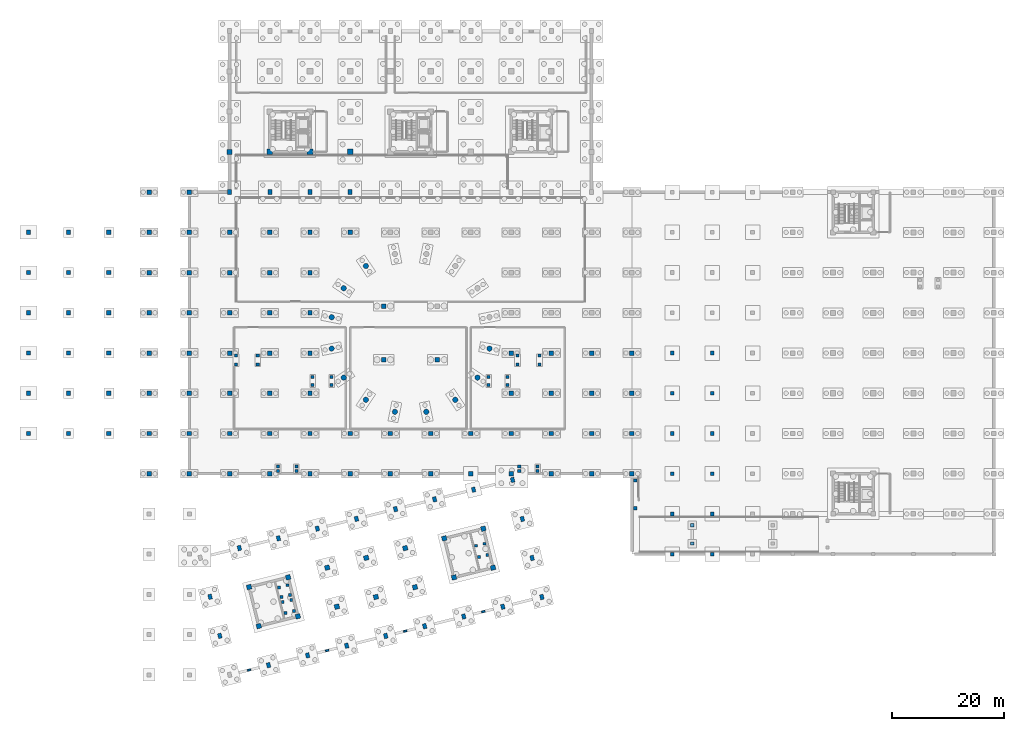
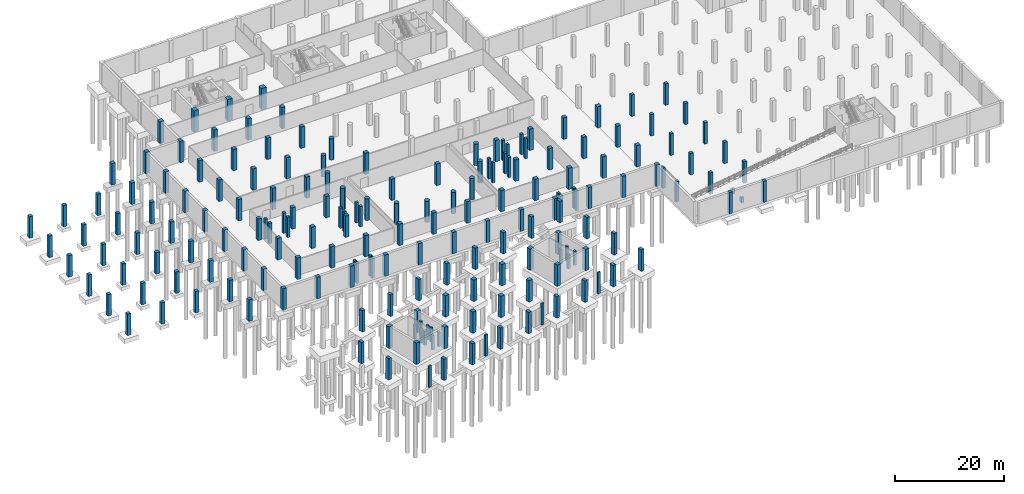
# One storey, part 7 of 19: 192 columns.
"""IFC4 building model written with IfcOpenShell, lengths in metres."""

from ifc_helpers import new_model, si_unit, direction, frame, origin, origin_2d, place, context, subcontext, project, spatial, rectangle, circle, extrude, material, material_profile, profile_set, type_object, element, save


model = new_model("IFC4")

# Units and contexts
model_context = context("Model", 3, precision=1e-05, world=origin(), true_north=direction((0.0, 1.0)))
body_context = subcontext(model_context, "Body", "Model", "MODEL_VIEW")
ifc_project = project(units=[si_unit("LENGTHUNIT", "METRE"), si_unit("AREAUNIT", "SQUARE_METRE"), si_unit("VOLUMEUNIT", "CUBIC_METRE"), si_unit("PLANEANGLEUNIT", "RADIAN"), si_unit("MASSUNIT", "GRAM", prefix="KILO")], contexts=[model_context])

# Site, building, storey
site_placement = place(None, origin())
site = spatial("IfcSite", under=ifc_project, at=site_placement, CompositionType="ELEMENT")
building_placement = place(site_placement, origin())
building = spatial("IfcBuilding", under=site, at=building_placement, Name="Qiaolan Assembly House", CompositionType="ELEMENT")
storey_placement = place(building_placement, frame((0.0, 0.0, -4.800048828125)))
storey = spatial("IfcBuildingStorey", under=building, at=storey_placement, Name="B1", CompositionType="ELEMENT", Elevation=-4.800048828125)

# Columns
ifc_material_1 = material(Name="Concrete C50/60", Category="concrete")
ifc_material_profile_1 = material_profile(ifc_material_1, circle(Radius=0.47509765625, at=origin_2d()), Name="CIRC D950")
ifc_profile_set_1 = profile_set([ifc_material_profile_1], Name="Concrete C50/60")
column_type_1 = type_object("IfcColumnType", Name="COL-DRUM-D950", PredefinedType="COLUMN", material=ifc_profile_set_1)
for number, where, z_axis, x_axis, name in (
    (1, (60.39990234375, 73.173095703125, 0.0), (0.0, 0.0, 1.0), (1.0, 0.0, 0.0), "DC-01 chamber drum pier 6 B1"),
    (2, (56.4267578125, 69.2001953125, 0.0), (0.0, 0.0, 1.0), (1.0, 0.0, 0.0), "DC-01 chamber drum pier 7 B1"),
    (3, (54.276611328125, 64.00927734375, 0.0), (0.0, 0.0, 1.0), (1.0, 0.0, 0.0), "DC-01 chamber drum pier 8 B1"),
    (4, (54.276611328125, 58.390625, 0.0), (0.0, 0.0, 1.0), (1.0, 0.0, 0.0), "DC-01 chamber drum pier 9 B1"),
    (5, (56.4267578125, 53.19970703125, 0.0), (0.0, 0.0, 1.0), (1.0, 0.0, 0.0), "DC-01 chamber drum pier 10 B1"),
    (6, (60.39990234375, 49.226806640625, 0.0), (0.0, 0.0, 1.0), (1.0, 0.0, 0.0), "DC-01 chamber drum pier 11 B1"),
    (7, (65.5908203125, 47.07666015625, 0.0), (0.0, 0.0, 1.0), (1.0, 0.0, 0.0), "DC-01 chamber drum pier 12 B1"),
    (8, (71.209228515625, 47.07666015625, 0.0), (0.0, 0.0, 1.0), (1.0, 0.0, 0.0), "DC-01 chamber drum pier 13 B1"),
    (9, (76.400146484375, 49.226806640625, 0.0), (0.0, 0.0, 1.0), (1.0, 0.0, 0.0), "DC-01 chamber drum pier 14 B1"),
    (10, (80.373046875, 53.19970703125, 0.0), (0.0, 0.0, 1.0), (1.0, 0.0, 0.0), "DC-01 chamber drum pier 15 B1"),
    (11, (82.523193359375, 58.390625, 0.0), (0.0, 0.0, 1.0), (1.0, 0.0, 0.0), "DC-01 chamber drum pier 16 B1"),
):
    element("IfcColumn", number, at=place(storey_placement, frame(where, z_axis=z_axis, x_axis=x_axis)), inside=storey, type_object=column_type_1, Name=name, PredefinedType="COLUMN", context=body_context, shape_type="SweptSolid", body=[
        extrude(circle(Radius=0.47509765625, at=origin_2d()), origin(), (0.0, 0.0, 1.0), 4.800048828125),
    ])
ifc_material_profile_2 = material_profile(ifc_material_1, rectangle(XDim=1.0, YDim=1.0, at=origin_2d()), Name="RC 1000x1000")
ifc_profile_set_2 = profile_set([ifc_material_profile_2], Name="Concrete C50/60")
column_type_2 = type_object("IfcColumnType", Name="COL-RC-1000", PredefinedType="COLUMN", material=ifc_profile_set_2)
for number, where, z_axis, x_axis, name in (
    (12, (43.199951171875, 93.60009765625, 0.0), (0.0, 0.0, 1.0), (1.0, 0.0, 0.0), "RC-01 column NW B1"),
    (13, (50.39990234375, 93.60009765625, 0.0), (0.0, 0.0, 1.0), (1.0, 0.0, 0.0), "RC-01 column NW B1"),
    (14, (57.60009765625, 93.60009765625, 0.0), (0.0, 0.0, 1.0), (1.0, 0.0, 0.0), "RC-01 column NW B1"),
):
    element("IfcColumn", number, at=place(storey_placement, frame(where, z_axis=z_axis, x_axis=x_axis)), inside=storey, type_object=column_type_2, Name=name, PredefinedType="COLUMN", context=body_context, shape_type="SweptSolid", body=[
        extrude(rectangle(XDim=1.0, YDim=1.0, at=origin_2d()), origin(), (0.0, 0.0, 1.0), 4.800048828125),
    ])
ifc_material_2 = material(Name="Concrete C40/50", Category="concrete")
ifc_material_profile_3 = material_profile(ifc_material_2, rectangle(XDim=0.5, YDim=0.5, at=origin_2d()), Name="RC 500x500")
ifc_profile_set_3 = profile_set([ifc_material_profile_3], Name="Concrete C40/50")
column_type_3 = type_object("IfcColumnType", Name="COL-RC-500", PredefinedType="COLUMN", material=ifc_profile_set_3)
for number, where, z_axis, x_axis, name in (
    (15, (46.023681640625, 11.05322265625, 0.0), (0.0, 0.0, 1.0), (1.0, 0.0, 0.0), "RC-09 lift pit support pier LF-06-1"),
    (16, (47.527587890625, 11.42822265625, 0.0), (0.0, 0.0, 1.0), (1.0, 0.0, 0.0), "RC-09 lift pit support pier LF-06-2"),
    (17, (47.03173828125, 13.41748046875, 0.0), (0.0, 0.0, 1.0), (1.0, 0.0, 0.0), "RC-09 lift pit support pier LF-06-3"),
    (18, (45.52783203125, 13.04248046875, 0.0), (0.0, 0.0, 1.0), (1.0, 0.0, 0.0), "RC-09 lift pit support pier LF-06-4"),
    (19, (45.31005859375, 13.915771484375, 0.0), (0.0, 0.0, 1.0), (1.0, 0.0, 0.0), "RC-09 lift pit support pier LF-07-1"),
    (20, (46.81396484375, 14.29052734375, 0.0), (0.0, 0.0, 1.0), (1.0, 0.0, 0.0), "RC-09 lift pit support pier LF-07-2"),
    (21, (46.378662109375, 16.037109375, 0.0), (0.0, 0.0, 1.0), (1.0, 0.0, 0.0), "RC-09 lift pit support pier LF-07-3"),
    (22, (44.87451171875, 15.662109375, 0.0), (0.0, 0.0, 1.0), (1.0, 0.0, 0.0), "RC-09 lift pit support pier LF-07-4"),
    (23, (80.627685546875, 21.072265625, 0.0), (0.0, 0.0, 1.0), (1.0, 0.0, 0.0), "RC-09 lift pit support pier LF-08-1"),
    (24, (82.1318359375, 21.447265625, 0.0), (0.0, 0.0, 1.0), (1.0, 0.0, 0.0), "RC-09 lift pit support pier LF-08-2"),
    (25, (81.623779296875, 23.48486328125, 0.0), (0.0, 0.0, 1.0), (1.0, 0.0, 0.0), "RC-09 lift pit support pier LF-08-3"),
    (26, (80.11962890625, 23.110107421875, 0.0), (0.0, 0.0, 1.0), (1.0, 0.0, 0.0), "RC-09 lift pit support pier LF-08-4"),
):
    element("IfcColumn", number, at=place(storey_placement, frame(where, z_axis=z_axis, x_axis=x_axis)), inside=storey, type_object=column_type_3, Name=name, PredefinedType="COLUMN", context=body_context, shape_type="SweptSolid", body=[
        extrude(rectangle(XDim=0.5, YDim=0.5, at=origin_2d()), origin(), (0.0, 0.0, 1.0), 3.199951171875),
    ])
ifc_material_profile_4 = material_profile(ifc_material_2, rectangle(XDim=0.550048828125, YDim=0.550048828125, at=origin_2d()), Name="RC 550x550")
ifc_profile_set_4 = profile_set([ifc_material_profile_4], Name="Concrete C40/50")
column_type_4 = type_object("IfcColumnType", Name="COL-RC-550", PredefinedType="COLUMN", material=ifc_profile_set_4)
for number, where, z_axis, x_axis, name in (
    (27, (37.14990234375, 55.570068359375, 0.0), (0.0, 0.0, 1.0), (1.0, 0.0, 0.0), "RC-10 ceremonial stair B1 column ST-H1-1"),
    (28, (41.050048828125, 55.570068359375, 0.0), (0.0, 0.0, 1.0), (1.0, 0.0, 0.0), "RC-10 ceremonial stair B1 column ST-H1-2"),
    (29, (37.14990234375, 57.1201171875, 0.0), (0.0, 0.0, 1.0), (1.0, 0.0, 0.0), "RC-10 ceremonial stair B1 column ST-H1-3"),
    (30, (41.050048828125, 57.1201171875, 0.0), (0.0, 0.0, 1.0), (1.0, 0.0, 0.0), "RC-10 ceremonial stair B1 column ST-H1-4"),
    (31, (87.550048828125, 55.570068359375, 0.0), (0.0, 0.0, 1.0), (1.0, 0.0, 0.0), "RC-10 ceremonial stair B1 column ST-H2-1"),
    (32, (91.449951171875, 55.570068359375, 0.0), (0.0, 0.0, 1.0), (1.0, 0.0, 0.0), "RC-10 ceremonial stair B1 column ST-H2-2"),
    (33, (87.550048828125, 57.1201171875, 0.0), (0.0, 0.0, 1.0), (1.0, 0.0, 0.0), "RC-10 ceremonial stair B1 column ST-H2-3"),
    (34, (91.449951171875, 57.1201171875, 0.0), (0.0, 0.0, 1.0), (1.0, 0.0, 0.0), "RC-10 ceremonial stair B1 column ST-H2-4"),
    (35, (50.8798828125, 51.889892578125, 0.0), (0.0, 0.0, 1.0), (1.0, 0.0, 0.0), "RC-10 gallery stair B1 column ST-G1-1"),
    (36, (54.280029296875, 51.889892578125, 0.0), (0.0, 0.0, 1.0), (1.0, 0.0, 0.0), "RC-10 gallery stair B1 column ST-G1-2"),
    (37, (50.8798828125, 53.2900390625, 0.0), (0.0, 0.0, 1.0), (1.0, 0.0, 0.0), "RC-10 gallery stair B1 column ST-G1-3"),
    (38, (54.280029296875, 53.2900390625, 0.0), (0.0, 0.0, 1.0), (1.0, 0.0, 0.0), "RC-10 gallery stair B1 column ST-G1-4"),
    (39, (82.3798828125, 51.889892578125, 0.0), (0.0, 0.0, 1.0), (1.0, 0.0, 0.0), "RC-10 gallery stair B1 column ST-G2-1"),
    (40, (85.780029296875, 51.889892578125, 0.0), (0.0, 0.0, 1.0), (1.0, 0.0, 0.0), "RC-10 gallery stair B1 column ST-G2-2"),
    (41, (82.3798828125, 53.2900390625, 0.0), (0.0, 0.0, 1.0), (1.0, 0.0, 0.0), "RC-10 gallery stair B1 column ST-G2-3"),
    (42, (85.780029296875, 53.2900390625, 0.0), (0.0, 0.0, 1.0), (1.0, 0.0, 0.0), "RC-10 gallery stair B1 column ST-G2-4"),
    (43, (44.64990234375, 36.449951171875, 0.0), (0.0, 0.0, 1.0), (1.0, 0.0, 0.0), "RC-10 foyer stair B1 column F1-1"),
    (44, (47.949951171875, 36.449951171875, 0.0), (0.0, 0.0, 1.0), (1.0, 0.0, 0.0), "RC-10 foyer stair B1 column F1-2"),
    (45, (44.64990234375, 37.300048828125, 0.0), (0.0, 0.0, 1.0), (1.0, 0.0, 0.0), "RC-10 foyer stair B1 column F1-3"),
    (46, (47.949951171875, 37.300048828125, 0.0), (0.0, 0.0, 1.0), (1.0, 0.0, 0.0), "RC-10 foyer stair B1 column F1-4"),
    (47, (87.85009765625, 36.449951171875, 0.0), (0.0, 0.0, 1.0), (1.0, 0.0, 0.0), "RC-10 foyer stair B1 column F2-1"),
    (48, (91.14990234375, 36.449951171875, 0.0), (0.0, 0.0, 1.0), (1.0, 0.0, 0.0), "RC-10 foyer stair B1 column F2-2"),
    (49, (87.85009765625, 37.300048828125, 0.0), (0.0, 0.0, 1.0), (1.0, 0.0, 0.0), "RC-10 foyer stair B1 column F2-3"),
    (50, (91.14990234375, 37.300048828125, 0.0), (0.0, 0.0, 1.0), (1.0, 0.0, 0.0), "RC-10 foyer stair B1 column F2-4"),
):
    element("IfcColumn", number, at=place(storey_placement, frame(where, z_axis=z_axis, x_axis=x_axis)), inside=storey, type_object=column_type_4, Name=name, PredefinedType="COLUMN", context=body_context, shape_type="SweptSolid", body=[
        extrude(rectangle(XDim=0.550048828125, YDim=0.550048828125, at=origin_2d()), origin(), (0.0, 0.0, 1.0), 4.550048828125),
    ])
ifc_material_profile_5 = material_profile(ifc_material_2, rectangle(XDim=0.60009765625, YDim=0.60009765625, at=origin_2d()), Name="RC 600x600")
ifc_profile_set_5 = profile_set([ifc_material_profile_5], Name="Concrete C40/50")
column_type_5 = type_object("IfcColumnType", Name="COL-RC-600", PredefinedType="COLUMN", material=ifc_profile_set_5)
for number, where, z_axis, x_axis, name in (
    (51, (108.60009765625, 29.800048828125, 0.0), (0.0, 0.0, 1.0), (1.0, 0.0, 0.0), "RC-09 service apron support pier 108-29"),
    (52, (108.60009765625, 34.800048828125, 0.0), (0.0, 0.0, 1.0), (1.0, 0.0, 0.0), "RC-09 service apron support pier 108-34"),
):
    element("IfcColumn", number, at=place(storey_placement, frame(where, z_axis=z_axis, x_axis=x_axis)), inside=storey, type_object=column_type_5, Name=name, PredefinedType="COLUMN", context=body_context, shape_type="SweptSolid", body=[
        extrude(rectangle(XDim=0.60009765625, YDim=0.60009765625, at=origin_2d()), origin(), (0.0, 0.0, 1.0), 4.5),
    ])
for number, where, z_axis, x_axis, name in (
    (53, (118.800048828125, 23.5, 0.0), (0.0, 0.0, 1.0), (1.0, 0.0, 0.0), "RC-09 vehicle ramp pier 2"),
    (54, (118.800048828125, 26.800048828125, 0.0), (0.0, 0.0, 1.0), (1.0, 0.0, 0.0), "RC-09 vehicle ramp pier 2"),
):
    element("IfcColumn", number, at=place(storey_placement, frame(where, z_axis=z_axis, x_axis=x_axis)), inside=storey, type_object=column_type_5, Name=name, PredefinedType="COLUMN", context=body_context, shape_type="SweptSolid", body=[
        extrude(rectangle(XDim=0.60009765625, YDim=0.60009765625, at=origin_2d()), origin(), (0.0, 0.0, 1.0), 1.130126953125),
    ])
ifc_material_profile_6 = material_profile(ifc_material_2, rectangle(XDim=0.64990234375, YDim=0.64990234375, at=origin_2d()), Name="RC 650x650")
ifc_profile_set_6 = profile_set([ifc_material_profile_6], Name="Concrete C40/50")
column_type_6 = type_object("IfcColumnType", Name="COL-RC-650", PredefinedType="COLUMN", material=ifc_profile_set_6)
for number, where, z_axis, x_axis, name in (
    (55, (115.199951171875, 21.60009765625, 0.0), (0.0, 0.0, 1.0), (1.0, 0.0, 0.0), "RC-08 carpark/cloister column B1"),
    (56, (115.199951171875, 28.800048828125, 0.0), (0.0, 0.0, 1.0), (1.0, 0.0, 0.0), "RC-08 carpark/cloister column B1"),
    (57, (115.199951171875, 36.0, 0.0), (0.0, 0.0, 1.0), (1.0, 0.0, 0.0), "RC-08 carpark/cloister column B1"),
    (58, (115.199951171875, 43.199951171875, 0.0), (0.0, 0.0, 1.0), (1.0, 0.0, 0.0), "RC-08 carpark/cloister column B1"),
    (59, (115.199951171875, 50.39990234375, 0.0), (0.0, 0.0, 1.0), (1.0, 0.0, 0.0), "RC-08 carpark/cloister column B1"),
    (60, (115.199951171875, 57.60009765625, 0.0), (0.0, 0.0, 1.0), (1.0, 0.0, 0.0), "RC-08 carpark/cloister column B1"),
    (61, (122.39990234375, 21.60009765625, 0.0), (0.0, 0.0, 1.0), (1.0, 0.0, 0.0), "RC-08 carpark/cloister column B1"),
    (62, (122.39990234375, 28.800048828125, 0.0), (0.0, 0.0, 1.0), (1.0, 0.0, 0.0), "RC-08 carpark/cloister column B1"),
    (63, (122.39990234375, 36.0, 0.0), (0.0, 0.0, 1.0), (1.0, 0.0, 0.0), "RC-08 carpark/cloister column B1"),
    (64, (122.39990234375, 43.199951171875, 0.0), (0.0, 0.0, 1.0), (1.0, 0.0, 0.0), "RC-08 carpark/cloister column B1"),
    (65, (122.39990234375, 50.39990234375, 0.0), (0.0, 0.0, 1.0), (1.0, 0.0, 0.0), "RC-08 carpark/cloister column B1"),
    (66, (122.39990234375, 57.60009765625, 0.0), (0.0, 0.0, 1.0), (1.0, 0.0, 0.0), "RC-08 carpark/cloister column B1"),
):
    element("IfcColumn", number, at=place(storey_placement, frame(where, z_axis=z_axis, x_axis=x_axis)), inside=storey, type_object=column_type_6, Name=name, PredefinedType="COLUMN", context=body_context, shape_type="SweptSolid", body=[
        extrude(rectangle(XDim=0.64990234375, YDim=0.64990234375, at=origin_2d()), origin(), (0.0, 0.0, 1.0), 4.800048828125),
    ])
ifc_material_3 = material(Name="Concrete C45/55", Category="concrete")
ifc_material_profile_7 = material_profile(ifc_material_3, rectangle(XDim=0.75, YDim=0.75, at=origin_2d()), Name="RC 750x750")
ifc_profile_set_7 = profile_set([ifc_material_profile_7], Name="Concrete C45/55")
column_type_7 = type_object("IfcColumnType", Name="COL-RC-750", PredefinedType="COLUMN", material=ifc_profile_set_7)
for number, where, z_axis, x_axis, name in (
    (67, (0.0, 43.199951171875, 0.0), (0.0, 0.0, 1.0), (1.0, 0.0, 0.0), "RC-06 portico colonnade column B1"),
    (68, (0.0, 50.39990234375, 0.0), (0.0, 0.0, 1.0), (1.0, 0.0, 0.0), "RC-06 portico colonnade column B1"),
    (69, (0.0, 57.60009765625, 0.0), (0.0, 0.0, 1.0), (1.0, 0.0, 0.0), "RC-06 portico colonnade column B1"),
    (70, (0.0, 64.800048828125, 0.0), (0.0, 0.0, 1.0), (1.0, 0.0, 0.0), "RC-06 portico colonnade column B1"),
    (71, (0.0, 72.0, 0.0), (0.0, 0.0, 1.0), (1.0, 0.0, 0.0), "RC-06 portico colonnade column B1"),
    (72, (0.0, 79.199951171875, 0.0), (0.0, 0.0, 1.0), (1.0, 0.0, 0.0), "RC-06 portico colonnade column B1"),
    (73, (7.199951171875, 43.199951171875, 0.0), (0.0, 0.0, 1.0), (1.0, 0.0, 0.0), "RC-06 portico colonnade column B1"),
    (74, (7.199951171875, 50.39990234375, 0.0), (0.0, 0.0, 1.0), (1.0, 0.0, 0.0), "RC-06 portico colonnade column B1"),
    (75, (7.199951171875, 57.60009765625, 0.0), (0.0, 0.0, 1.0), (1.0, 0.0, 0.0), "RC-06 portico colonnade column B1"),
    (76, (7.199951171875, 64.800048828125, 0.0), (0.0, 0.0, 1.0), (1.0, 0.0, 0.0), "RC-06 portico colonnade column B1"),
    (77, (7.199951171875, 72.0, 0.0), (0.0, 0.0, 1.0), (1.0, 0.0, 0.0), "RC-06 portico colonnade column B1"),
    (78, (7.199951171875, 79.199951171875, 0.0), (0.0, 0.0, 1.0), (1.0, 0.0, 0.0), "RC-06 portico colonnade column B1"),
    (79, (14.39990234375, 43.199951171875, 0.0), (0.0, 0.0, 1.0), (1.0, 0.0, 0.0), "RC-06 portico colonnade column B1"),
    (80, (14.39990234375, 50.39990234375, 0.0), (0.0, 0.0, 1.0), (1.0, 0.0, 0.0), "RC-06 portico colonnade column B1"),
    (81, (14.39990234375, 57.60009765625, 0.0), (0.0, 0.0, 1.0), (1.0, 0.0, 0.0), "RC-06 portico colonnade column B1"),
    (82, (14.39990234375, 64.800048828125, 0.0), (0.0, 0.0, 1.0), (1.0, 0.0, 0.0), "RC-06 portico colonnade column B1"),
    (83, (14.39990234375, 72.0, 0.0), (0.0, 0.0, 1.0), (1.0, 0.0, 0.0), "RC-06 portico colonnade column B1"),
    (84, (14.39990234375, 79.199951171875, 0.0), (0.0, 0.0, 1.0), (1.0, 0.0, 0.0), "RC-06 portico colonnade column B1"),
):
    element("IfcColumn", number, at=place(storey_placement, frame(where, z_axis=z_axis, x_axis=x_axis)), inside=storey, type_object=column_type_7, Name=name, PredefinedType="COLUMN", context=body_context, shape_type="SweptSolid", body=[
        extrude(rectangle(XDim=0.75, YDim=0.75, at=origin_2d()), origin(), (0.0, 0.0, 1.0), 4.800048828125),
    ])
ifc_material_profile_8 = material_profile(ifc_material_3, rectangle(XDim=0.800048828125, YDim=0.800048828125, at=origin_2d()), Name="RC 800x800")
ifc_profile_set_8 = profile_set([ifc_material_profile_8], Name="Concrete C45/55")
column_type_8 = type_object("IfcColumnType", Name="COL-RC-800", PredefinedType="COLUMN", material=ifc_profile_set_8)
for number, where, z_axis, x_axis, name in (
    (85, (63.60009765625, 56.39990234375, 0.0), (0.0, 0.0, 1.0), (1.0, 0.0, 0.0), "RC-05 chamber undercroft column 1 B1"),
    (86, (73.199951171875, 56.39990234375, 0.0), (0.0, 0.0, 1.0), (1.0, 0.0, 0.0), "RC-05 chamber undercroft column 2 B1"),
    (87, (63.60009765625, 66.0, 0.0), (0.0, 0.0, 1.0), (1.0, 0.0, 0.0), "RC-05 chamber undercroft column 4 B1"),
    (88, (21.60009765625, 36.0, 0.0), (0.0, 0.0, 1.0), (1.0, 0.0, 0.0), "RC-05 hall column B1"),
    (89, (21.60009765625, 43.199951171875, 0.0), (0.0, 0.0, 1.0), (1.0, 0.0, 0.0), "RC-05 hall column B1"),
    (90, (21.60009765625, 50.39990234375, 0.0), (0.0, 0.0, 1.0), (1.0, 0.0, 0.0), "RC-05 hall column B1"),
    (91, (21.60009765625, 57.60009765625, 0.0), (0.0, 0.0, 1.0), (1.0, 0.0, 0.0), "RC-05 hall column B1"),
    (92, (21.60009765625, 64.800048828125, 0.0), (0.0, 0.0, 1.0), (1.0, 0.0, 0.0), "RC-05 hall column B1"),
    (93, (21.60009765625, 72.0, 0.0), (0.0, 0.0, 1.0), (1.0, 0.0, 0.0), "RC-05 hall column B1"),
    (94, (21.60009765625, 79.199951171875, 0.0), (0.0, 0.0, 1.0), (1.0, 0.0, 0.0), "RC-05 hall column B1"),
    (95, (21.60009765625, 86.39990234375, 0.0), (0.0, 0.0, 1.0), (1.0, 0.0, 0.0), "RC-05 hall column B1"),
    (96, (28.800048828125, 36.0, 0.0), (0.0, 0.0, 1.0), (1.0, 0.0, 0.0), "RC-05 hall column B1"),
    (97, (28.800048828125, 43.199951171875, 0.0), (0.0, 0.0, 1.0), (1.0, 0.0, 0.0), "RC-05 hall column B1"),
    (98, (28.800048828125, 50.39990234375, 0.0), (0.0, 0.0, 1.0), (1.0, 0.0, 0.0), "RC-05 hall column B1"),
    (99, (28.800048828125, 57.60009765625, 0.0), (0.0, 0.0, 1.0), (1.0, 0.0, 0.0), "RC-05 hall column B1"),
    (100, (28.800048828125, 64.800048828125, 0.0), (0.0, 0.0, 1.0), (1.0, 0.0, 0.0), "RC-05 hall column B1"),
    (101, (28.800048828125, 72.0, 0.0), (0.0, 0.0, 1.0), (1.0, 0.0, 0.0), "RC-05 hall column B1"),
    (102, (28.800048828125, 79.199951171875, 0.0), (0.0, 0.0, 1.0), (1.0, 0.0, 0.0), "RC-05 hall column B1"),
    (103, (28.800048828125, 86.39990234375, 0.0), (0.0, 0.0, 1.0), (1.0, 0.0, 0.0), "RC-05 hall column B1"),
    (104, (36.0, 36.0, 0.0), (0.0, 0.0, 1.0), (1.0, 0.0, 0.0), "RC-05 hall column B1"),
    (105, (36.0, 43.199951171875, 0.0), (0.0, 0.0, 1.0), (1.0, 0.0, 0.0), "RC-05 hall column B1"),
    (106, (36.0, 50.39990234375, 0.0), (0.0, 0.0, 1.0), (1.0, 0.0, 0.0), "RC-05 hall column B1"),
    (107, (36.0, 57.60009765625, 0.0), (0.0, 0.0, 1.0), (1.0, 0.0, 0.0), "RC-05 hall column B1"),
    (108, (36.0, 64.800048828125, 0.0), (0.0, 0.0, 1.0), (1.0, 0.0, 0.0), "RC-05 hall column B1"),
    (109, (36.0, 72.0, 0.0), (0.0, 0.0, 1.0), (1.0, 0.0, 0.0), "RC-05 hall column B1"),
    (110, (36.0, 79.199951171875, 0.0), (0.0, 0.0, 1.0), (1.0, 0.0, 0.0), "RC-05 hall column B1"),
    (111, (43.199951171875, 36.0, 0.0), (0.0, 0.0, 1.0), (1.0, 0.0, 0.0), "RC-05 hall column B1"),
    (112, (43.199951171875, 43.199951171875, 0.0), (0.0, 0.0, 1.0), (1.0, 0.0, 0.0), "RC-05 hall column B1"),
    (113, (43.199951171875, 50.39990234375, 0.0), (0.0, 0.0, 1.0), (1.0, 0.0, 0.0), "RC-05 hall column B1"),
    (114, (43.199951171875, 57.60009765625, 0.0), (0.0, 0.0, 1.0), (1.0, 0.0, 0.0), "RC-05 hall column B1"),
    (115, (43.199951171875, 64.800048828125, 0.0), (0.0, 0.0, 1.0), (1.0, 0.0, 0.0), "RC-05 hall column B1"),
    (116, (43.199951171875, 72.0, 0.0), (0.0, 0.0, 1.0), (1.0, 0.0, 0.0), "RC-05 hall column B1"),
    (117, (43.199951171875, 79.199951171875, 0.0), (0.0, 0.0, 1.0), (1.0, 0.0, 0.0), "RC-05 hall column B1"),
    (118, (50.39990234375, 36.0, 0.0), (0.0, 0.0, 1.0), (1.0, 0.0, 0.0), "RC-05 hall column B1"),
    (119, (50.39990234375, 43.199951171875, 0.0), (0.0, 0.0, 1.0), (1.0, 0.0, 0.0), "RC-05 hall column B1"),
    (120, (50.39990234375, 50.39990234375, 0.0), (0.0, 0.0, 1.0), (1.0, 0.0, 0.0), "RC-05 hall column B1"),
    (121, (50.39990234375, 57.60009765625, 0.0), (0.0, 0.0, 1.0), (1.0, 0.0, 0.0), "RC-05 hall column B1"),
    (122, (50.39990234375, 64.800048828125, 0.0), (0.0, 0.0, 1.0), (1.0, 0.0, 0.0), "RC-05 hall column B1"),
    (123, (50.39990234375, 72.0, 0.0), (0.0, 0.0, 1.0), (1.0, 0.0, 0.0), "RC-05 hall column B1"),
    (124, (50.39990234375, 79.199951171875, 0.0), (0.0, 0.0, 1.0), (1.0, 0.0, 0.0), "RC-05 hall column B1"),
    (125, (57.60009765625, 36.0, 0.0), (0.0, 0.0, 1.0), (1.0, 0.0, 0.0), "RC-05 hall column B1"),
    (126, (57.60009765625, 43.199951171875, 0.0), (0.0, 0.0, 1.0), (1.0, 0.0, 0.0), "RC-05 hall column B1"),
    (127, (57.60009765625, 79.199951171875, 0.0), (0.0, 0.0, 1.0), (1.0, 0.0, 0.0), "RC-05 hall column B1"),
    (128, (64.800048828125, 36.0, 0.0), (0.0, 0.0, 1.0), (1.0, 0.0, 0.0), "RC-05 hall column B1"),
    (129, (64.800048828125, 43.199951171875, 0.0), (0.0, 0.0, 1.0), (1.0, 0.0, 0.0), "RC-05 hall column B1"),
    (130, (72.0, 36.0, 0.0), (0.0, 0.0, 1.0), (1.0, 0.0, 0.0), "RC-05 hall column B1"),
    (131, (72.0, 43.199951171875, 0.0), (0.0, 0.0, 1.0), (1.0, 0.0, 0.0), "RC-05 hall column B1"),
    (132, (79.199951171875, 36.0, 0.0), (0.0, 0.0, 1.0), (1.0, 0.0, 0.0), "RC-05 hall column B1"),
    (133, (79.199951171875, 43.199951171875, 0.0), (0.0, 0.0, 1.0), (1.0, 0.0, 0.0), "RC-05 hall column B1"),
    (134, (86.39990234375, 36.0, 0.0), (0.0, 0.0, 1.0), (1.0, 0.0, 0.0), "RC-05 hall column B1"),
    (135, (86.39990234375, 43.199951171875, 0.0), (0.0, 0.0, 1.0), (1.0, 0.0, 0.0), "RC-05 hall column B1"),
    (136, (86.39990234375, 50.39990234375, 0.0), (0.0, 0.0, 1.0), (1.0, 0.0, 0.0), "RC-05 hall column B1"),
    (137, (86.39990234375, 57.60009765625, 0.0), (0.0, 0.0, 1.0), (1.0, 0.0, 0.0), "RC-05 hall column B1"),
    (138, (93.60009765625, 36.0, 0.0), (0.0, 0.0, 1.0), (1.0, 0.0, 0.0), "RC-05 hall column B1"),
    (139, (93.60009765625, 43.199951171875, 0.0), (0.0, 0.0, 1.0), (1.0, 0.0, 0.0), "RC-05 hall column B1"),
    (140, (93.60009765625, 50.39990234375, 0.0), (0.0, 0.0, 1.0), (1.0, 0.0, 0.0), "RC-05 hall column B1"),
    (141, (93.60009765625, 57.60009765625, 0.0), (0.0, 0.0, 1.0), (1.0, 0.0, 0.0), "RC-05 hall column B1"),
    (142, (100.800048828125, 36.0, 0.0), (0.0, 0.0, 1.0), (1.0, 0.0, 0.0), "RC-05 hall column B1"),
    (143, (100.800048828125, 43.199951171875, 0.0), (0.0, 0.0, 1.0), (1.0, 0.0, 0.0), "RC-05 hall column B1"),
    (144, (100.800048828125, 50.39990234375, 0.0), (0.0, 0.0, 1.0), (1.0, 0.0, 0.0), "RC-05 hall column B1"),
    (145, (100.800048828125, 57.60009765625, 0.0), (0.0, 0.0, 1.0), (1.0, 0.0, 0.0), "RC-05 hall column B1"),
    (146, (108.0, 36.0, 0.0), (0.0, 0.0, 1.0), (1.0, 0.0, 0.0), "RC-05 hall column B1"),
    (147, (108.0, 43.199951171875, 0.0), (0.0, 0.0, 1.0), (1.0, 0.0, 0.0), "RC-05 hall column B1"),
    (148, (108.0, 50.39990234375, 0.0), (0.0, 0.0, 1.0), (1.0, 0.0, 0.0), "RC-05 hall column B1"),
    (149, (108.0, 57.60009765625, 0.0), (0.0, 0.0, 1.0), (1.0, 0.0, 0.0), "RC-05 hall column B1"),
):
    element("IfcColumn", number, at=place(storey_placement, frame(where, z_axis=z_axis, x_axis=x_axis)), inside=storey, type_object=column_type_8, Name=name, PredefinedType="COLUMN", context=body_context, shape_type="SweptSolid", body=[
        extrude(rectangle(XDim=0.800048828125, YDim=0.800048828125, at=origin_2d()), origin(), (0.0, 0.0, 1.0), 4.800048828125),
    ])
ifc_material_profile_9 = material_profile(ifc_material_1, rectangle(XDim=0.85009765625, YDim=0.85009765625, at=origin_2d()), Name="RC 850x850")
ifc_profile_set_9 = profile_set([ifc_material_profile_9], Name="Concrete C50/60")
column_type_9 = type_object("IfcColumnType", Name="COL-RC-850", PredefinedType="COLUMN", material=ifc_profile_set_9)
for number, where, z_axis, x_axis, name in (
    (150, (41.244384765625, 8.72802734375, 0.0), (0.0, 0.0, 1.0), (0.970295726276, 0.2419218956, 0.0), "RC-04 splayed column SE B1"),
    (151, (39.50244140625, 15.714111328125, 0.0), (0.0, 0.0, 1.0), (0.970295726276, 0.2419218956, 0.0), "RC-04 splayed column SE B1"),
    (152, (48.23046875, 10.4697265625, 0.0), (0.0, 0.0, 1.0), (0.970295726276, 0.2419218956, 0.0), "RC-04 splayed column SE B1"),
    (153, (46.488525390625, 17.4560546875, 0.0), (0.0, 0.0, 1.0), (0.970295726276, 0.2419218956, 0.0), "RC-04 splayed column SE B1"),
    (154, (55.216552734375, 12.211669921875, 0.0), (0.0, 0.0, 1.0), (0.970295726276, 0.2419218956, 0.0), "RC-04 splayed column SE B1"),
    (155, (53.474609375, 19.19775390625, 0.0), (0.0, 0.0, 1.0), (0.970295726276, 0.2419218956, 0.0), "RC-04 splayed column SE B1"),
    (156, (62.20263671875, 13.953369140625, 0.0), (0.0, 0.0, 1.0), (0.970295726276, 0.2419218956, 0.0), "RC-04 splayed column SE B1"),
    (157, (60.4609375, 20.939697265625, 0.0), (0.0, 0.0, 1.0), (0.970295726276, 0.2419218956, 0.0), "RC-04 splayed column SE B1"),
    (158, (69.188720703125, 15.6953125, 0.0), (0.0, 0.0, 1.0), (0.970295726276, 0.2419218956, 0.0), "RC-04 splayed column SE B1"),
    (159, (67.447021484375, 22.681396484375, 0.0), (0.0, 0.0, 1.0), (0.970295726276, 0.2419218956, 0.0), "RC-04 splayed column SE B1"),
    (160, (76.175048828125, 17.437255859375, 0.0), (0.0, 0.0, 1.0), (0.970295726276, 0.2419218956, 0.0), "RC-04 splayed column SE B1"),
    (161, (74.43310546875, 24.42333984375, 0.0), (0.0, 0.0, 1.0), (0.970295726276, 0.2419218956, 0.0), "RC-04 splayed column SE B1"),
    (162, (83.1611328125, 19.178955078125, 0.0), (0.0, 0.0, 1.0), (0.970295726276, 0.2419218956, 0.0), "RC-04 splayed column SE B1"),
    (163, (81.419189453125, 26.1650390625, 0.0), (0.0, 0.0, 1.0), (0.970295726276, 0.2419218956, 0.0), "RC-04 splayed column SE B1"),
):
    element("IfcColumn", number, at=place(storey_placement, frame(where, z_axis=z_axis, x_axis=x_axis)), inside=storey, type_object=column_type_9, Name=name, PredefinedType="COLUMN", context=body_context, shape_type="SweptSolid", body=[
        extrude(rectangle(XDim=0.85009765625, YDim=0.85009765625, at=origin_2d()), origin(), (0.0, 0.0, 1.0), 4.800048828125),
    ])
ifc_material_profile_10 = material_profile(ifc_material_1, rectangle(XDim=0.89990234375, YDim=0.89990234375, at=origin_2d()), Name="RC 900x900")
ifc_profile_set_10 = profile_set([ifc_material_profile_10], Name="Concrete C50/60")
column_type_10 = type_object("IfcColumnType", Name="COL-RC-900", PredefinedType="COLUMN", material=ifc_profile_set_10)
column_placement = place(storey_placement, frame((36.0, 93.60009765625, 0.0), z_axis=(0.0, 0.0, 1.0), x_axis=(1.0, 0.0, 0.0)))
element("IfcColumn", 164, at=column_placement, inside=storey, type_object=column_type_10, Name="RC-03 column NW B1", PredefinedType="COLUMN", context=body_context, shape_type="SweptSolid", body=[
    extrude(rectangle(XDim=0.89990234375, YDim=0.89990234375, at=origin_2d()), origin(), (0.0, 0.0, 1.0), 4.800048828125),
])
ifc_material_profile_11 = material_profile(ifc_material_1, rectangle(XDim=0.64990234375, YDim=0.89990234375, at=origin_2d()), Name="RC 900x650")
ifc_profile_set_11 = profile_set([ifc_material_profile_11], Name="Concrete C50/60")
column_type_11 = type_object("IfcColumnType", Name="COL-RC-900x650", PredefinedType="COLUMN", material=ifc_profile_set_11)
for number, where, z_axis, x_axis, name in (
    (165, (34.258056640625, 6.986083984375, 0.0), (0.0, 0.0, 1.0), (0.970295726276, 0.2419218956, 0.0), "RC-12 splayed column SE B1"),
    (166, (32.516357421875, 13.97216796875, 0.0), (0.0, 0.0, 1.0), (0.970295726276, 0.2419218956, 0.0), "RC-12 splayed column SE B1"),
    (167, (42.986083984375, 1.741943359375, 0.0), (0.0, 0.0, 1.0), (0.970295726276, 0.2419218956, 0.0), "RC-12 splayed column SE B1"),
    (168, (37.760498046875, 22.7001953125, 0.0), (0.0, 0.0, 1.0), (0.970295726276, 0.2419218956, 0.0), "RC-12 splayed column SE B1"),
    (169, (49.97216796875, 3.483642578125, 0.0), (0.0, 0.0, 1.0), (0.970295726276, 0.2419218956, 0.0), "RC-12 splayed column SE B1"),
    (170, (44.746826171875, 24.442138671875, 0.0), (0.0, 0.0, 1.0), (0.970295726276, 0.2419218956, 0.0), "RC-12 splayed column SE B1"),
    (171, (56.95849609375, 5.2255859375, 0.0), (0.0, 0.0, 1.0), (0.970295726276, 0.2419218956, 0.0), "RC-12 splayed column SE B1"),
    (172, (51.73291015625, 26.183837890625, 0.0), (0.0, 0.0, 1.0), (0.970295726276, 0.2419218956, 0.0), "RC-12 splayed column SE B1"),
    (173, (63.944580078125, 6.96728515625, 0.0), (0.0, 0.0, 1.0), (0.970295726276, 0.2419218956, 0.0), "RC-12 splayed column SE B1"),
    (174, (58.718994140625, 27.92578125, 0.0), (0.0, 0.0, 1.0), (0.970295726276, 0.2419218956, 0.0), "RC-12 splayed column SE B1"),
    (175, (70.9306640625, 8.709228515625, 0.0), (0.0, 0.0, 1.0), (0.970295726276, 0.2419218956, 0.0), "RC-12 splayed column SE B1"),
    (176, (65.705078125, 29.66748046875, 0.0), (0.0, 0.0, 1.0), (0.970295726276, 0.2419218956, 0.0), "RC-12 splayed column SE B1"),
    (177, (77.916748046875, 10.450927734375, 0.0), (0.0, 0.0, 1.0), (0.970295726276, 0.2419218956, 0.0), "RC-12 splayed column SE B1"),
    (178, (72.691162109375, 31.409423828125, 0.0), (0.0, 0.0, 1.0), (0.970295726276, 0.2419218956, 0.0), "RC-12 splayed column SE B1"),
    (179, (84.90283203125, 12.19287109375, 0.0), (0.0, 0.0, 1.0), (0.970295726276, 0.2419218956, 0.0), "RC-12 splayed column SE B1"),
    (180, (79.677490234375, 33.1513671875, 0.0), (0.0, 0.0, 1.0), (0.970295726276, 0.2419218956, 0.0), "RC-12 splayed column SE B1"),
    (181, (91.888916015625, 13.934814453125, 0.0), (0.0, 0.0, 1.0), (0.970295726276, 0.2419218956, 0.0), "RC-12 splayed column SE B1"),
    (182, (90.147216796875, 20.9208984375, 0.0), (0.0, 0.0, 1.0), (0.970295726276, 0.2419218956, 0.0), "RC-12 splayed column SE B1"),
    (183, (88.4052734375, 27.906982421875, 0.0), (0.0, 0.0, 1.0), (0.970295726276, 0.2419218956, 0.0), "RC-12 splayed column SE B1"),
    (184, (86.66357421875, 34.89306640625, 0.0), (0.0, 0.0, 1.0), (0.970295726276, 0.2419218956, 0.0), "RC-12 splayed column SE B1"),
):
    element("IfcColumn", number, at=place(storey_placement, frame(where, z_axis=z_axis, x_axis=x_axis)), inside=storey, type_object=column_type_11, Name=name, PredefinedType="COLUMN", context=body_context, shape_type="SweptSolid", body=[
        extrude(rectangle(XDim=0.64990234375, YDim=0.89990234375, at=origin_2d()), origin(), (0.0, 0.0, 1.0), 4.800048828125),
    ])
ifc_material_profile_12 = material_profile(ifc_material_1, rectangle(XDim=0.719970703125, YDim=0.919921875, at=origin_2d()), Name="RC 920x720")
ifc_profile_set_12 = profile_set([ifc_material_profile_12], Name="Concrete C50/60")
column_type_12 = type_object("IfcColumnType", Name="COL-RC-920x720", PredefinedType="COLUMN", material=ifc_profile_set_12)
for number, where, z_axis, x_axis, name in (
    (185, (36.0, 86.39990234375, 0.0), (0.0, 0.0, 1.0), (1.0, 0.0, 0.0), "RC-17 column NW B1"),
    (186, (43.199951171875, 86.39990234375, 0.0), (0.0, 0.0, 1.0), (1.0, 0.0, 0.0), "RC-17 column NW B1"),
    (187, (50.39990234375, 86.39990234375, 0.0), (0.0, 0.0, 1.0), (1.0, 0.0, 0.0), "RC-17 column NW B1"),
    (188, (57.60009765625, 86.39990234375, 0.0), (0.0, 0.0, 1.0), (1.0, 0.0, 0.0), "RC-17 column NW B1"),
):
    element("IfcColumn", number, at=place(storey_placement, frame(where, z_axis=z_axis, x_axis=x_axis)), inside=storey, type_object=column_type_12, Name=name, PredefinedType="COLUMN", context=body_context, shape_type="SweptSolid", body=[
        extrude(rectangle(XDim=0.719970703125, YDim=0.919921875, at=origin_2d()), origin(), (0.0, 0.0, 1.0), 4.800048828125),
    ])
ifc_material_4 = material(Name="Precast concrete C45/55", Category="concrete")
ifc_material_profile_13 = material_profile(ifc_material_4, rectangle(XDim=0.60009765625, YDim=0.320068359375, at=origin_2d()), Name="PIL 600x320")
ifc_profile_set_13 = profile_set([ifc_material_profile_13], Name="Precast concrete C45/55")
column_type_13 = type_object("IfcColumnType", Name="PIL-SE-600x320", PredefinedType="PILASTER", material=ifc_profile_set_13)
for number, where, z_axis, x_axis, name in (
    (189, (39.4931640625, 0.870849609375, 0.0), (0.0, 0.0, 1.0), (0.970295726276, 0.2419218956, 0.0), "PL-03 boulevard pilaster SE B1"),
    (190, (53.46533203125, 4.3544921875, 0.0), (0.0, 0.0, 1.0), (0.970295726276, 0.2419218956, 0.0), "PL-03 boulevard pilaster SE B1"),
    (191, (67.4375, 7.83837890625, 0.0), (0.0, 0.0, 1.0), (0.970295726276, 0.2419218956, 0.0), "PL-03 boulevard pilaster SE B1"),
    (192, (81.409912109375, 11.322021484375, 0.0), (0.0, 0.0, 1.0), (0.970295726276, 0.2419218956, 0.0), "PL-03 boulevard pilaster SE B1"),
):
    element("IfcColumn", number, at=place(storey_placement, frame(where, z_axis=z_axis, x_axis=x_axis)), inside=storey, type_object=column_type_13, Name=name, PredefinedType="PILASTER", context=body_context, shape_type="SweptSolid", body=[
        extrude(rectangle(XDim=0.60009765625, YDim=0.320068359375, at=origin_2d()), origin(), (0.0, 0.0, 1.0), 4.800048828125),
    ])

save(model, "model.ifc")
